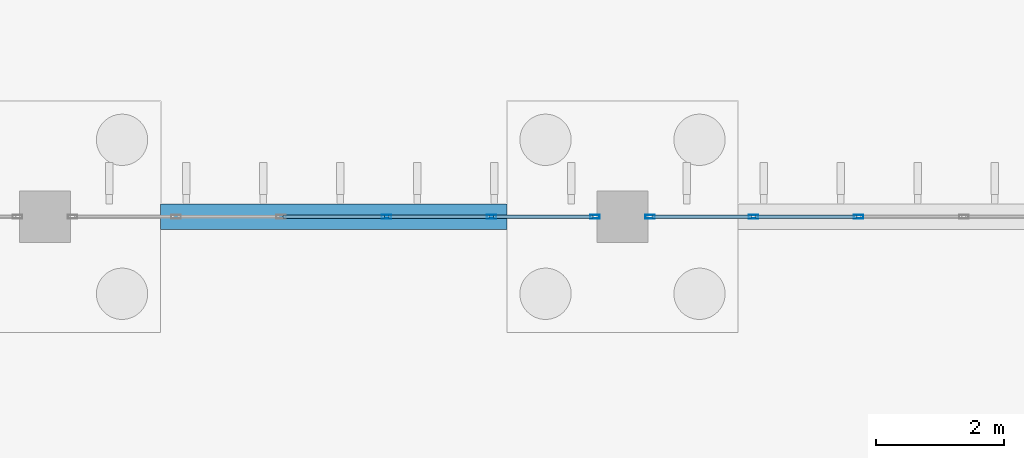
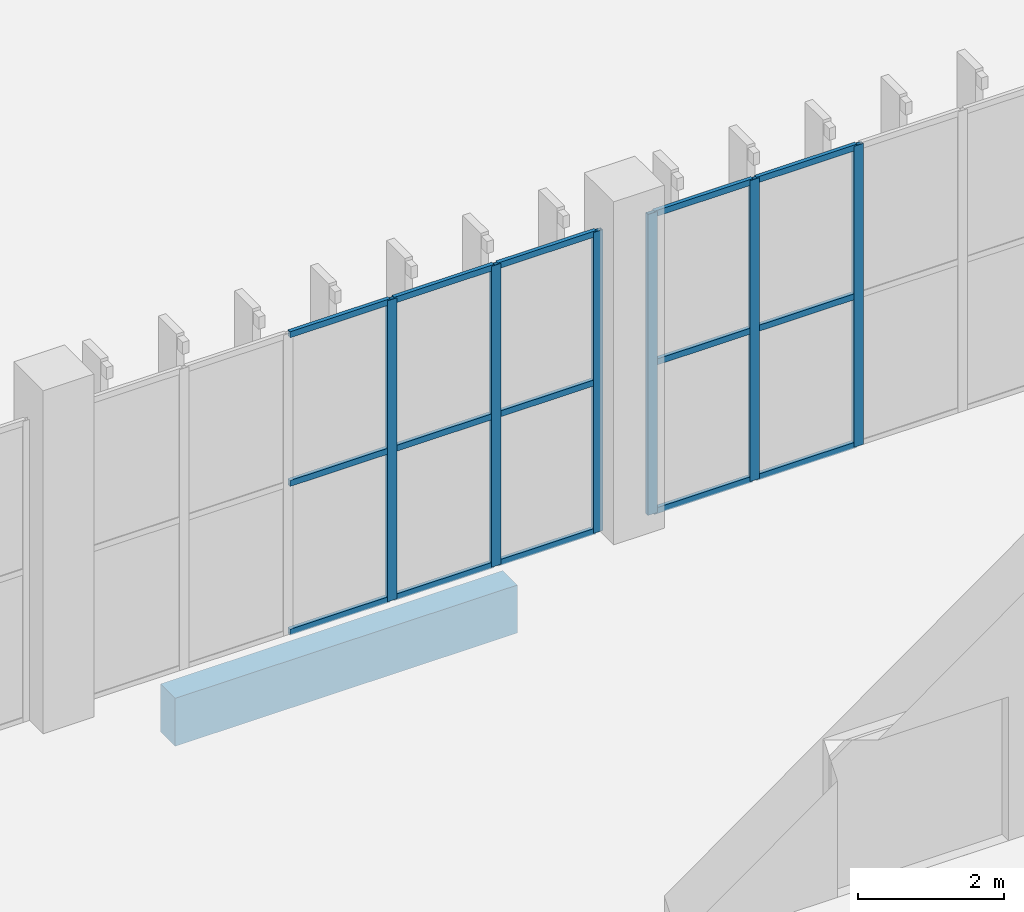
# One storey, part 52 of 198: 21 members, 1 beam, 2 elements without a shape of their own.
"""IFC4 building model written with IfcOpenShell, lengths in metres."""

from ifc_helpers import new_model, si_unit, direction, frame, origin, origin_2d, place, context, subcontext, project, spatial, rectangle, hollow_rectangle, extrude, material, layer, layer_set, material_profile, profile_set, type_object, element, aggregate, save


model = new_model("IFC4")

# Units and contexts
model_context = context("Model", 3, precision=1e-05, world=origin(), true_north=direction((0.0, 1.0)))
body_context = subcontext(model_context, "Body", "Model", "MODEL_VIEW")
ifc_project = project(units=[si_unit("LENGTHUNIT", "METRE"), si_unit("AREAUNIT", "SQUARE_METRE"), si_unit("VOLUMEUNIT", "CUBIC_METRE"), si_unit("PLANEANGLEUNIT", "RADIAN"), si_unit("MASSUNIT", "GRAM", prefix="KILO")], contexts=[model_context])

# Site, building, storey
site_placement = place(None, origin())
site = spatial("IfcSite", under=ifc_project, at=site_placement, CompositionType="ELEMENT")
building_placement = place(site_placement, origin())
building = spatial("IfcBuilding", under=site, at=building_placement, Name="Opaline Strait Convention Centre", CompositionType="ELEMENT")
storey_placement = place(building_placement, origin())
storey = spatial("IfcBuildingStorey", under=building, at=storey_placement, Name="L00", CompositionType="ELEMENT", Elevation=0.0)

# Curtain wall, members
ifc_material_1 = material(Name="Aluminium 6063-T5", Category="aluminium")
ifc_layer = layer(ifc_material_1, 0.199951171875)
ifc_layer_set = layer_set([ifc_layer], Name="Aluminium 6063-T5")
curtain_wall_type = type_object("IfcCurtainWallType", Name="Unitised curtain wall 1640 module", PredefinedType="NOTDEFINED", material=ifc_layer_set)
curtain_wall_1_placement = place(storey_placement, origin())
curtain_wall_1 = element("IfcCurtainWall", 1, at=curtain_wall_1_placement, inside=storey, type_object=curtain_wall_type, Name="Ballroom north curtain wall L00 bay 3", PredefinedType="NOTDEFINED")
ifc_material_2 = material(Name="Aluminium alloy 6063", Category="aluminium")
ifc_material_profile_1 = material_profile(ifc_material_2, hollow_rectangle(XDim=0.06005859375, YDim=0.14990234375, WallThickness=0.00390625, at=origin_2d()), Name="MULLION 60x150x4")
ifc_profile_set_1 = profile_set([ifc_material_profile_1], Name="Aluminium alloy 6063")
member_type_1 = type_object("IfcMemberType", Name="Curtain wall mullion 60 x 150", PredefinedType="MULLION", material=ifc_profile_set_1)
member_1_placement = place(storey_placement, frame((311.320068359375, 72.0, 0.0), z_axis=(0.0, 0.0, 1.0), x_axis=(0.0, 1.0, 0.0)))
member_1 = element("IfcMember", 2, at=member_1_placement, type_object=member_type_1, Name="BG2 mullion 4", PredefinedType="MULLION", context=body_context, shape_type="SweptSolid", body=[
    extrude(hollow_rectangle(XDim=0.06005859375, YDim=0.14990234375, WallThickness=0.00390625, at=origin_2d()), origin(), (0.0, 0.0, 1.0), 5.02001953125),
])
member_2_placement = place(storey_placement, frame((312.9599609375, 72.0, 0.0), z_axis=(0.0, 0.0, 1.0), x_axis=(0.0, 1.0, 0.0)))
member_2 = element("IfcMember", 3, at=member_2_placement, type_object=member_type_1, Name="BG2 mullion 5", PredefinedType="MULLION", context=body_context, shape_type="SweptSolid", body=[
    extrude(hollow_rectangle(XDim=0.06005859375, YDim=0.14990234375, WallThickness=0.00390625, at=origin_2d()), origin(), (0.0, 0.0, 1.0), 5.02001953125),
])
member_3_placement = place(storey_placement, frame((314.570068359375, 72.0, 0.0), z_axis=(0.0, 0.0, 1.0), x_axis=(0.0, 1.0, 0.0)))
member_3 = element("IfcMember", 4, at=member_3_placement, type_object=member_type_1, Name="BG2 mullion 6", PredefinedType="MULLION", context=body_context, shape_type="SweptSolid", body=[
    extrude(hollow_rectangle(XDim=0.06005859375, YDim=0.14990234375, WallThickness=0.00390625, at=origin_2d()), origin(), (0.0, 0.0, 1.0), 5.02001953125),
])

curtain_wall_2_placement = place(storey_placement, origin())
curtain_wall_2 = element("IfcCurtainWall", 5, at=curtain_wall_2_placement, inside=storey, type_object=curtain_wall_type, Name="Ballroom north curtain wall L00 bay 4", PredefinedType="NOTDEFINED")
member_4_placement = place(storey_placement, frame((315.429931640625, 72.0, 0.0), z_axis=(0.0, 0.0, 1.0), x_axis=(0.0, 1.0, 0.0)))
member_4 = element("IfcMember", 6, at=member_4_placement, type_object=member_type_1, Name="BG2 mullion 1", PredefinedType="MULLION", context=body_context, shape_type="SweptSolid", body=[
    extrude(hollow_rectangle(XDim=0.06005859375, YDim=0.14990234375, WallThickness=0.00390625, at=origin_2d()), origin(), (0.0, 0.0, 1.0), 5.02001953125),
])
member_5_placement = place(storey_placement, frame((317.0400390625, 72.0, 0.0), z_axis=(0.0, 0.0, 1.0), x_axis=(0.0, 1.0, 0.0)))
member_5 = element("IfcMember", 7, at=member_5_placement, type_object=member_type_1, Name="BG2 mullion 2", PredefinedType="MULLION", context=body_context, shape_type="SweptSolid", body=[
    extrude(hollow_rectangle(XDim=0.06005859375, YDim=0.14990234375, WallThickness=0.00390625, at=origin_2d()), origin(), (0.0, 0.0, 1.0), 5.02001953125),
])
member_6_placement = place(storey_placement, frame((318.679931640625, 72.0, 0.0), z_axis=(0.0, 0.0, 1.0), x_axis=(0.0, 1.0, 0.0)))
member_6 = element("IfcMember", 8, at=member_6_placement, type_object=member_type_1, Name="BG2 mullion 3", PredefinedType="MULLION", context=body_context, shape_type="SweptSolid", body=[
    extrude(hollow_rectangle(XDim=0.06005859375, YDim=0.14990234375, WallThickness=0.00390625, at=origin_2d()), origin(), (0.0, 0.0, 1.0), 5.02001953125),
])

# Member
ifc_material_profile_2 = material_profile(ifc_material_2, hollow_rectangle(XDim=0.06005859375, YDim=0.10009765625, WallThickness=0.0029296875, at=origin_2d()), Name="TRANSOM 60x100x3")
ifc_profile_set_2 = profile_set([ifc_material_profile_2], Name="Aluminium alloy 6063")
member_type_2 = type_object("IfcMemberType", Name="Curtain wall transom 60 x 100", PredefinedType="USERDEFINED", material=ifc_profile_set_2)
member_7_placement = place(storey_placement, frame((309.7099609375, 72.0, 0.030029296875), z_axis=(1.0, 0.0, 0.0), x_axis=(0.0, 1.0, 0.0)))
member_7 = element("IfcMember", 9, at=member_7_placement, type_object=member_type_2, Name="BG2 transom 3.1", ObjectType="TRANSOM", PredefinedType="USERDEFINED", context=body_context, shape_type="SweptSolid", body=[
    extrude(hollow_rectangle(XDim=0.06005859375, YDim=0.10009765625, WallThickness=0.0029296875, at=origin_2d()), origin(), (0.0, 0.0, 1.0), 1.580078125),
])

member_8_placement = place(storey_placement, frame((309.7099609375, 72.0, 2.510009765625), z_axis=(1.0, 0.0, 0.0), x_axis=(0.0, 1.0, 0.0)))
member_8 = element("IfcMember", 10, at=member_8_placement, type_object=member_type_2, Name="BG2 transom 3.2", ObjectType="TRANSOM", PredefinedType="USERDEFINED", context=body_context, shape_type="SweptSolid", body=[
    extrude(hollow_rectangle(XDim=0.06005859375, YDim=0.10009765625, WallThickness=0.0029296875, at=origin_2d()), origin(), (0.0, 0.0, 1.0), 1.580078125),
])

member_9_placement = place(storey_placement, frame((309.7099609375, 72.0, 4.989990234375), z_axis=(1.0, 0.0, 0.0), x_axis=(0.0, 1.0, 0.0)))
member_9 = element("IfcMember", 11, at=member_9_placement, type_object=member_type_2, Name="BG2 transom 3.3", ObjectType="TRANSOM", PredefinedType="USERDEFINED", context=body_context, shape_type="SweptSolid", body=[
    extrude(hollow_rectangle(XDim=0.06005859375, YDim=0.10009765625, WallThickness=0.0029296875, at=origin_2d()), origin(), (0.0, 0.0, 1.0), 1.580078125),
])

member_10_placement = place(storey_placement, frame((311.35009765625, 72.0, 0.030029296875), z_axis=(1.0, 0.0, 0.0), x_axis=(0.0, 1.0, 0.0)))
member_10 = element("IfcMember", 12, at=member_10_placement, type_object=member_type_2, Name="BG2 transom 4.1", ObjectType="TRANSOM", PredefinedType="USERDEFINED", context=body_context, shape_type="SweptSolid", body=[
    extrude(hollow_rectangle(XDim=0.06005859375, YDim=0.10009765625, WallThickness=0.0029296875, at=origin_2d()), origin(), (0.0, 0.0, 1.0), 1.580078125),
])

member_11_placement = place(storey_placement, frame((311.35009765625, 72.0, 2.510009765625), z_axis=(1.0, 0.0, 0.0), x_axis=(0.0, 1.0, 0.0)))
member_11 = element("IfcMember", 13, at=member_11_placement, type_object=member_type_2, Name="BG2 transom 4.2", ObjectType="TRANSOM", PredefinedType="USERDEFINED", context=body_context, shape_type="SweptSolid", body=[
    extrude(hollow_rectangle(XDim=0.06005859375, YDim=0.10009765625, WallThickness=0.0029296875, at=origin_2d()), origin(), (0.0, 0.0, 1.0), 1.580078125),
])

member_12_placement = place(storey_placement, frame((311.35009765625, 72.0, 4.989990234375), z_axis=(1.0, 0.0, 0.0), x_axis=(0.0, 1.0, 0.0)))
member_12 = element("IfcMember", 14, at=member_12_placement, type_object=member_type_2, Name="BG2 transom 4.3", ObjectType="TRANSOM", PredefinedType="USERDEFINED", context=body_context, shape_type="SweptSolid", body=[
    extrude(hollow_rectangle(XDim=0.06005859375, YDim=0.10009765625, WallThickness=0.0029296875, at=origin_2d()), origin(), (0.0, 0.0, 1.0), 1.580078125),
])

member_13_placement = place(storey_placement, frame((312.989990234375, 72.0, 0.030029296875), z_axis=(1.0, 0.0, 0.0), x_axis=(0.0, 1.0, 0.0)))
member_13 = element("IfcMember", 15, at=member_13_placement, type_object=member_type_2, Name="BG2 transom 5.1", ObjectType="TRANSOM", PredefinedType="USERDEFINED", context=body_context, shape_type="SweptSolid", body=[
    extrude(hollow_rectangle(XDim=0.06005859375, YDim=0.10009765625, WallThickness=0.0029296875, at=origin_2d()), origin(), (0.0, 0.0, 1.0), 1.550048828125),
])

member_14_placement = place(storey_placement, frame((312.989990234375, 72.0, 2.510009765625), z_axis=(1.0, 0.0, 0.0), x_axis=(0.0, 1.0, 0.0)))
member_14 = element("IfcMember", 16, at=member_14_placement, type_object=member_type_2, Name="BG2 transom 5.2", ObjectType="TRANSOM", PredefinedType="USERDEFINED", context=body_context, shape_type="SweptSolid", body=[
    extrude(hollow_rectangle(XDim=0.06005859375, YDim=0.10009765625, WallThickness=0.0029296875, at=origin_2d()), origin(), (0.0, 0.0, 1.0), 1.550048828125),
])

member_15_placement = place(storey_placement, frame((312.989990234375, 72.0, 4.989990234375), z_axis=(1.0, 0.0, 0.0), x_axis=(0.0, 1.0, 0.0)))
member_15 = element("IfcMember", 17, at=member_15_placement, type_object=member_type_2, Name="BG2 transom 5.3", ObjectType="TRANSOM", PredefinedType="USERDEFINED", context=body_context, shape_type="SweptSolid", body=[
    extrude(hollow_rectangle(XDim=0.06005859375, YDim=0.10009765625, WallThickness=0.0029296875, at=origin_2d()), origin(), (0.0, 0.0, 1.0), 1.550048828125),
])

aggregate(curtain_wall_1, [member_1, member_2, member_3, member_7, member_8, member_9, member_10, member_11, member_12, member_13, member_14, member_15])

member_16_placement = place(storey_placement, frame((315.4599609375, 72.0, 0.030029296875), z_axis=(1.0, 0.0, 0.0), x_axis=(0.0, 1.0, 0.0)))
member_16 = element("IfcMember", 18, at=member_16_placement, type_object=member_type_2, Name="BG2 transom 1.1", ObjectType="TRANSOM", PredefinedType="USERDEFINED", context=body_context, shape_type="SweptSolid", body=[
    extrude(hollow_rectangle(XDim=0.06005859375, YDim=0.10009765625, WallThickness=0.0029296875, at=origin_2d()), origin(), (0.0, 0.0, 1.0), 1.550048828125),
])

member_17_placement = place(storey_placement, frame((315.4599609375, 72.0, 2.510009765625), z_axis=(1.0, 0.0, 0.0), x_axis=(0.0, 1.0, 0.0)))
member_17 = element("IfcMember", 19, at=member_17_placement, type_object=member_type_2, Name="BG2 transom 1.2", ObjectType="TRANSOM", PredefinedType="USERDEFINED", context=body_context, shape_type="SweptSolid", body=[
    extrude(hollow_rectangle(XDim=0.06005859375, YDim=0.10009765625, WallThickness=0.0029296875, at=origin_2d()), origin(), (0.0, 0.0, 1.0), 1.550048828125),
])

member_18_placement = place(storey_placement, frame((315.4599609375, 72.0, 4.989990234375), z_axis=(1.0, 0.0, 0.0), x_axis=(0.0, 1.0, 0.0)))
member_18 = element("IfcMember", 20, at=member_18_placement, type_object=member_type_2, Name="BG2 transom 1.3", ObjectType="TRANSOM", PredefinedType="USERDEFINED", context=body_context, shape_type="SweptSolid", body=[
    extrude(hollow_rectangle(XDim=0.06005859375, YDim=0.10009765625, WallThickness=0.0029296875, at=origin_2d()), origin(), (0.0, 0.0, 1.0), 1.550048828125),
])

member_19_placement = place(storey_placement, frame((317.06982421875, 72.0, 0.030029296875), z_axis=(1.0, 0.0, 0.0), x_axis=(0.0, 1.0, 0.0)))
member_19 = element("IfcMember", 21, at=member_19_placement, type_object=member_type_2, Name="BG2 transom 2.1", ObjectType="TRANSOM", PredefinedType="USERDEFINED", context=body_context, shape_type="SweptSolid", body=[
    extrude(hollow_rectangle(XDim=0.06005859375, YDim=0.10009765625, WallThickness=0.0029296875, at=origin_2d()), origin(), (0.0, 0.0, 1.0), 1.580078125),
])

member_20_placement = place(storey_placement, frame((317.06982421875, 72.0, 2.510009765625), z_axis=(1.0, 0.0, 0.0), x_axis=(0.0, 1.0, 0.0)))
member_20 = element("IfcMember", 22, at=member_20_placement, type_object=member_type_2, Name="BG2 transom 2.2", ObjectType="TRANSOM", PredefinedType="USERDEFINED", context=body_context, shape_type="SweptSolid", body=[
    extrude(hollow_rectangle(XDim=0.06005859375, YDim=0.10009765625, WallThickness=0.0029296875, at=origin_2d()), origin(), (0.0, 0.0, 1.0), 1.580078125),
])

member_21_placement = place(storey_placement, frame((317.06982421875, 72.0, 4.989990234375), z_axis=(1.0, 0.0, 0.0), x_axis=(0.0, 1.0, 0.0)))
member_21 = element("IfcMember", 23, at=member_21_placement, type_object=member_type_2, Name="BG2 transom 2.3", ObjectType="TRANSOM", PredefinedType="USERDEFINED", context=body_context, shape_type="SweptSolid", body=[
    extrude(hollow_rectangle(XDim=0.06005859375, YDim=0.10009765625, WallThickness=0.0029296875, at=origin_2d()), origin(), (0.0, 0.0, 1.0), 1.580078125),
])

aggregate(curtain_wall_2, [member_4, member_5, member_6, member_16, member_17, member_18, member_19, member_20, member_21])

# Beam
ifc_material_3 = material(Name="Concrete C35", Category="concrete")
ifc_material_profile_3 = material_profile(ifc_material_3, rectangle(XDim=0.39990234375, YDim=0.800048828125, at=origin_2d()), Name="RC 400x800")
ifc_profile_set_3 = profile_set([ifc_material_profile_3], Name="Concrete C35")
beam_type = type_object("IfcBeamType", Name="Ground beam 400x800 C35", PredefinedType="BEAM", material=ifc_profile_set_3)
beam_placement = place(storey_placement, frame((307.800048828125, 72.0, -0.699951171875), z_axis=(1.0, 0.0, 0.0), x_axis=(0.0, 1.0, 0.0)))
element("IfcBeam", 24, at=beam_placement, inside=storey, type_object=beam_type, Name="BG1 ground beam 35/J-36/J", PredefinedType="BEAM", context=body_context, shape_type="SweptSolid", body=[
    extrude(rectangle(XDim=0.39990234375, YDim=0.800048828125, at=origin_2d()), origin(), (0.0, 0.0, 1.0), 5.39990234375),
])

save(model, "model.ifc")
